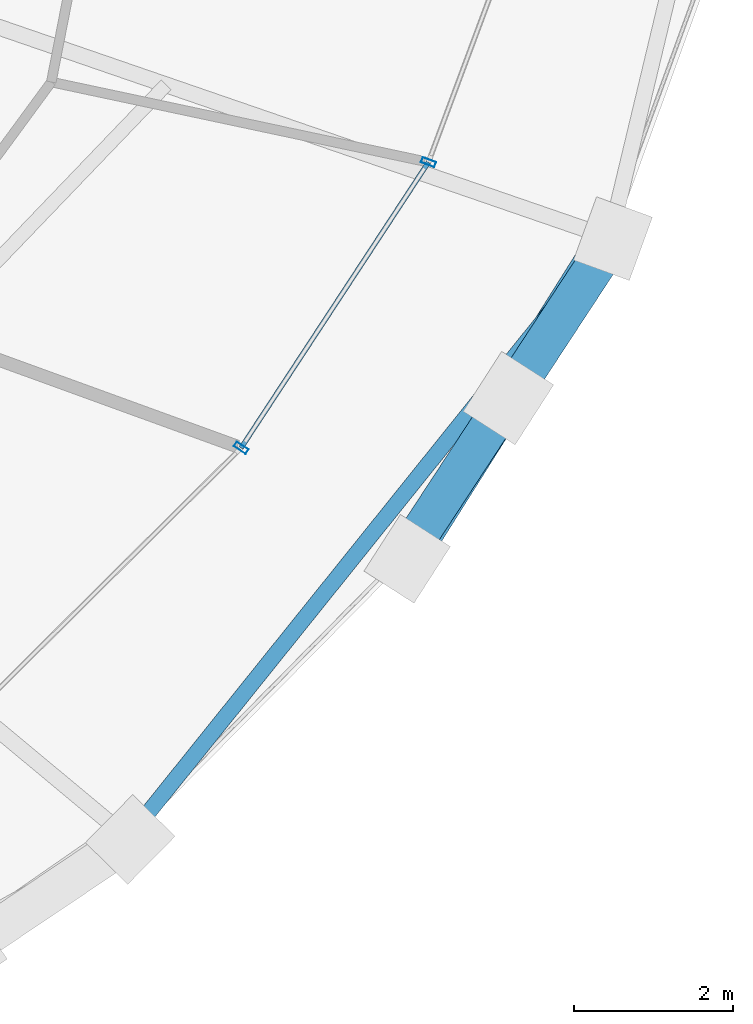
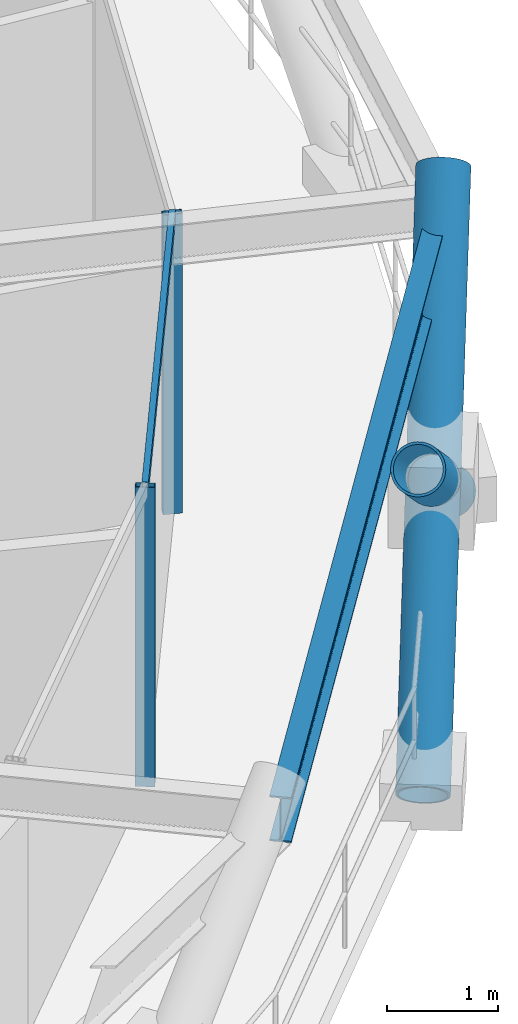
# One storey, part 9 of 19: 6 members, 1 beam, 1 element without a shape of its own.
"""IFC4 building model written with IfcOpenShell, lengths in metres."""

from ifc_helpers import new_model, si_unit, direction, frame, origin, origin_2d, place, context, subcontext, project, spatial, hollow_rectangle, hollow_circle, i_section, extrude, material, layer, layer_set, material_profile, profile_set, type_object, element, aggregate, save


model = new_model("IFC4")

# Units and contexts
model_context = context("Model", 3, precision=1e-05, world=origin(), true_north=direction((0.0, 1.0)))
body_context = subcontext(model_context, "Body", "Model", "MODEL_VIEW")
ifc_project = project(units=[si_unit("LENGTHUNIT", "METRE"), si_unit("AREAUNIT", "SQUARE_METRE"), si_unit("VOLUMEUNIT", "CUBIC_METRE"), si_unit("PLANEANGLEUNIT", "RADIAN"), si_unit("MASSUNIT", "GRAM", prefix="KILO")], contexts=[model_context])

# Site, building, storey
site_placement = place(None, origin())
site = spatial("IfcSite", under=ifc_project, at=site_placement, CompositionType="ELEMENT")
building_placement = place(site_placement, origin())
building = spatial("IfcBuilding", under=site, at=building_placement, Name="Veldorina Hangang Commons", CompositionType="ELEMENT")
storey_placement = place(building_placement, frame((0.0, 0.0, 167.60009765625)))
storey = spatial("IfcBuildingStorey", under=building, at=storey_placement, Name="L43", CompositionType="ELEMENT", Elevation=167.60009765625)

# Beam
ifc_material_1 = material(Name="Steel SM420-TMC", Category="steel")
ifc_material_profile_1 = material_profile(ifc_material_1, i_section(OverallWidth=0.199951171875, OverallDepth=0.5, WebThickness=0.010009765625, FlangeThickness=0.01611328125, FilletRadius=0.01611328125, at=origin_2d()), Name="H-500x200x10x16")
ifc_profile_set_1 = profile_set([ifc_material_profile_1], Name="Steel SM420-TMC")
beam_type = type_object("IfcBeamType", Name="BM-RB500", PredefinedType="BEAM", material=ifc_profile_set_1)
beam_placement = place(storey_placement, frame((51.83740234375, 7.497314453125, 3.099853515625), z_axis=(0.626220607691, 0.779645913542, 0.0), x_axis=(-0.779645913542, 0.626220607691, 0.0)))
element("IfcBeam", 1, at=beam_placement, inside=storey, type_object=beam_type, Name="L43 perimeter hoop ring beam 28", PredefinedType="BEAM", context=body_context, shape_type="SweptSolid", body=[
    extrude(i_section(OverallWidth=0.199951171875, OverallDepth=0.5, WebThickness=0.010009765625, FlangeThickness=0.01611328125, FilletRadius=0.01611328125, at=origin_2d()), origin(), (0.0, 0.0, 1.0), 9.71142578125),
])

# Curtain wall, members
ifc_material_2 = material(Name="Glass Low-E Triple IGU", Category="glass")
ifc_layer = layer(ifc_material_2, 0.179931640625)
ifc_layer_set = layer_set([ifc_layer], Name="Glass Low-E Triple IGU")
curtain_wall_type = type_object("IfcCurtainWallType", Name="CW-SYS-Z2", PredefinedType="NOTDEFINED", material=ifc_layer_set)
curtain_wall_placement = place(storey_placement, origin())
curtain_wall = element("IfcCurtainWall", 2, at=curtain_wall_placement, inside=storey, type_object=curtain_wall_type, Name="L43 unitised curtain wall CW-L43-R2", PredefinedType="NOTDEFINED")
ifc_material_3 = material(Name="Aluminium Anodized AA6063-T6", Category="aluminium")
ifc_material_profile_2 = material_profile(ifc_material_3, hollow_rectangle(XDim=0.070068359375, YDim=0.179931640625, WallThickness=0.00390625, at=origin_2d()), Name="ALU-RHS-180x70x4")
ifc_profile_set_2 = profile_set([ifc_material_profile_2], Name="Aluminium Anodized AA6063-T6")
member_type_1 = type_object("IfcMemberType", Name="CW-MUL-180", PredefinedType="MULLION", material=ifc_profile_set_2)
member_1_placement = place(storey_placement, frame((53.264892578125, 12.418212890625, 0.0), z_axis=(0.0, 0.0, 1.0), x_axis=(0.548366207167, 0.836238305053, 0.0)))
member_1 = element("IfcMember", 3, at=member_1_placement, type_object=member_type_1, Name="CW-L43-R2 vertical mullion 2", PredefinedType="MULLION", context=body_context, shape_type="SweptSolid", body=[
    extrude(hollow_rectangle(XDim=0.070068359375, YDim=0.179931640625, WallThickness=0.00390625, at=origin_2d()), origin(), (0.0, 0.0, 1.0), 3.309814453125),
])
member_2_placement = place(storey_placement, frame((55.62841796875, 16.022216796875, 0.0), z_axis=(0.0, 0.0, 1.0), x_axis=(0.348784700885, 0.937202876878, 0.0)))
member_2 = element("IfcMember", 4, at=member_2_placement, type_object=member_type_1, Name="CW-L43-R2 vertical mullion 3", PredefinedType="MULLION", context=body_context, shape_type="SweptSolid", body=[
    extrude(hollow_rectangle(XDim=0.070068359375, YDim=0.179931640625, WallThickness=0.00390625, at=origin_2d()), origin(), (0.0, 0.0, 1.0), 3.309814453125),
])
ifc_material_profile_3 = material_profile(ifc_material_3, hollow_rectangle(XDim=0.06005859375, YDim=0.139892578125, WallThickness=0.00341796875, at=origin_2d()), Name="ALU-RHS-140x60x3.5")
ifc_profile_set_3 = profile_set([ifc_material_profile_3], Name="Aluminium Anodized AA6063-T6")
member_type_2 = type_object("IfcMemberType", Name="CW-TRN-140", PredefinedType="USERDEFINED", material=ifc_profile_set_3)
member_3_placement = place(storey_placement, frame((53.264892578125, 12.418212890625, 3.27001953125), z_axis=(0.548396574896, 0.836218390519, 0.0), x_axis=(-0.836218390519, 0.548396574896, 0.0)))
member_3 = element("IfcMember", 5, at=member_3_placement, type_object=member_type_2, Name="CW-L43-R2 facet 2 transom 1", ObjectType="TRANSOM", PredefinedType="USERDEFINED", context=body_context, shape_type="SweptSolid", body=[
    extrude(hollow_rectangle(XDim=0.06005859375, YDim=0.139892578125, WallThickness=0.00341796875, at=origin_2d()), origin(), (0.0, 0.0, 1.0), 4.309814453125),
])
aggregate(curtain_wall, [member_1, member_2, member_3])

# Members
ifc_material_profile_4 = material_profile(ifc_material_1, hollow_circle(Radius=0.25, WallThickness=0.02490234375, at=origin_2d()), Name="CHS-500x25")
ifc_profile_set_4 = profile_set([ifc_material_profile_4], Name="Steel SM420-TMC")
member_type_3 = type_object("IfcMemberType", Name="DG-CHS500", PredefinedType="BRACE", material=ifc_profile_set_4)
member_4_placement = place(storey_placement, frame((55.3603515625, 11.018310546875, 0.0), z_axis=(0.426025943666, 0.676384948724, 0.600837163018), x_axis=(-0.846145999874, 0.532951167461, 0.0)))
element("IfcMember", 6, at=member_4_placement, inside=storey, type_object=member_type_3, Name="L43 continuous perimeter diagrid brace 29", PredefinedType="BRACE", context=body_context, shape_type="SweptSolid", body=[
    extrude(hollow_circle(Radius=0.25, WallThickness=0.02490234375, at=origin_2d()), origin(), (0.0, 0.0, 1.0), 5.991455078125),
])
member_5_placement = place(storey_placement, frame((57.95654296875, 15.05810546875, 0.0), z_axis=(-0.438879948843, -0.669488902158, 0.599307100234), x_axis=(0.836318350532, -0.548244121321, 0.0)))
element("IfcMember", 7, at=member_5_placement, inside=storey, type_object=member_type_3, Name="L43 split perimeter diagrid lower brace 30", PredefinedType="BRACE", context=body_context, shape_type="SweptSolid", body=[
    extrude(hollow_circle(Radius=0.25, WallThickness=0.02490234375, at=origin_2d()), origin(), (0.0, 0.0, 1.0), 3.005615234375),
])
member_6_placement = place(storey_placement, frame((56.637451171875, 13.0458984375, 1.80126953125), z_axis=(-0.438745328183, -0.669548312804, 0.599339297743), x_axis=(0.836417752278, -0.548092459056, 0.0)))
element("IfcMember", 8, at=member_6_placement, inside=storey, type_object=member_type_3, Name="L43 split perimeter diagrid upper brace 30", PredefinedType="BRACE", context=body_context, shape_type="SweptSolid", body=[
    extrude(hollow_circle(Radius=0.25, WallThickness=0.02490234375, at=origin_2d()), origin(), (0.0, 0.0, 1.0), 3.0009765625),
])

save(model, "model.ifc")
